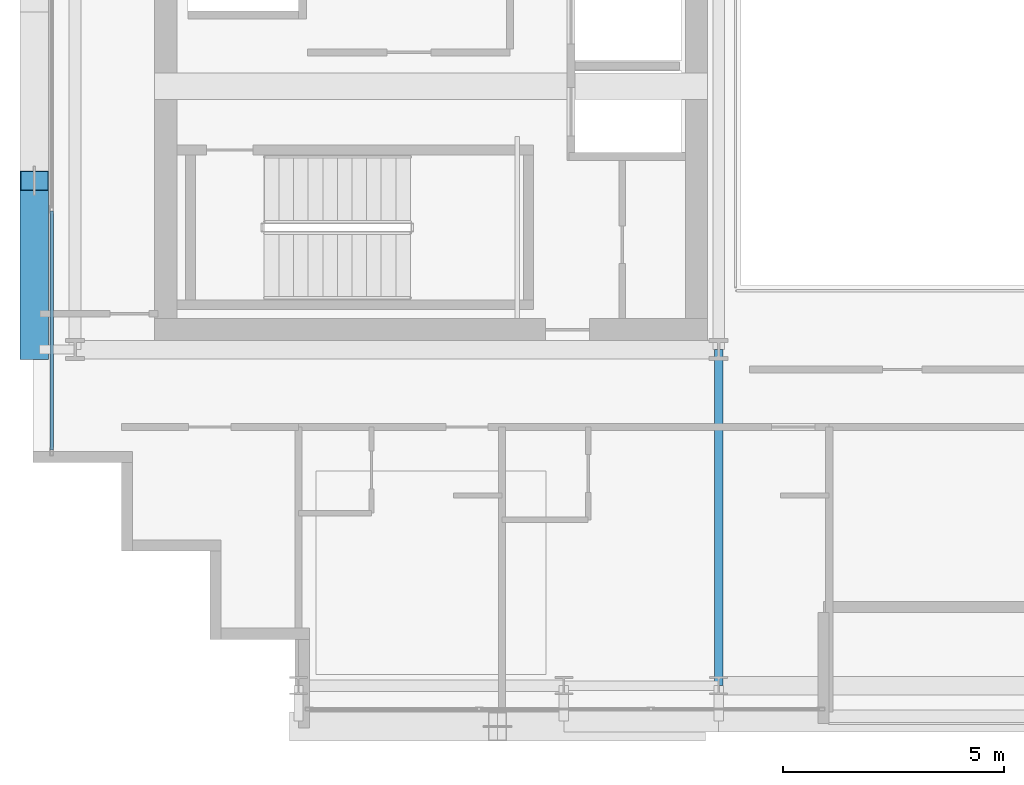
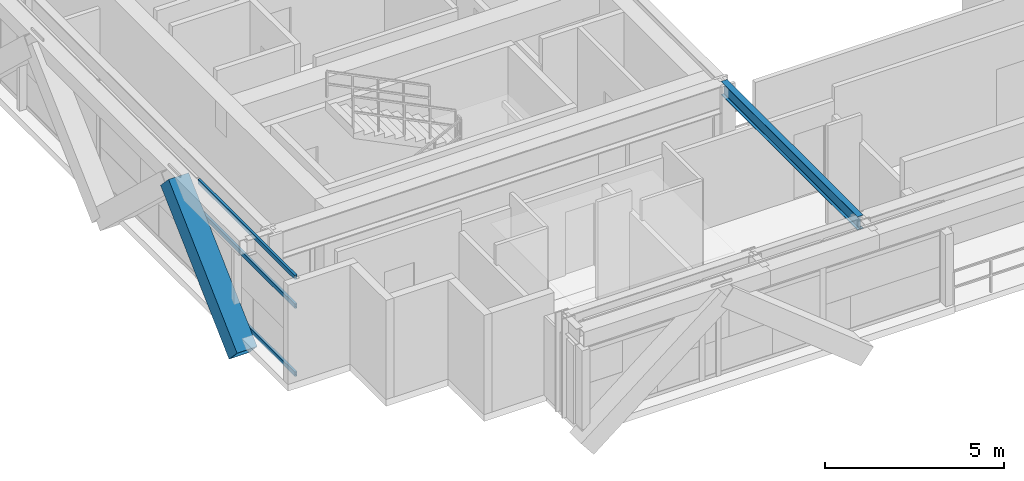
# One storey, part 3 of 31: 4 members, 1 beam, 1 element without a shape of its own.
"""IFC4 building model written with IfcOpenShell, lengths in metres."""

import ifcopenshell
import ifcopenshell.guid

model = None  # the IFC model being written
_history = None  # IfcOwnerHistory: only IFC2X3 demands one
_inside = {}  # id of a spatial element -> (the spatial element, [elements in it])
_under = {}  # id of a project, library or spatial element -> (it, [spatial elements below it])
_declared = {}  # id of a project -> (the project, [libraries it declares])
_typed = {}  # id of a type object -> (the type object, [elements of that type])
_made_of = {}  # id of a material, layer set ... -> (it, [elements and type objects made of it])


def new_model(schema):
    """Start an empty IFC model of exactly this schema.

    Asked for "IFC4X3", IfcOpenShell would pick the latest addendum, in which some entities
    have other attributes; the version numbers below select the first issue.
    IFC2X3 requires an IfcOwnerHistory on every rooted entity: one is made here for all.
    """
    global model, _history
    if schema == "IFC4X3":
        model = ifcopenshell.file(schema_version=(4, 3, 0, 0))
    else:
        model = ifcopenshell.file(schema=schema)
    _inside.clear()
    _under.clear()
    _declared.clear()
    _typed.clear()
    _made_of.clear()
    _history = None
    if model.schema == "IFC2X3":
        org = make("IfcOrganization", Name="unknown")
        user = make(
            "IfcPersonAndOrganization",
            ThePerson=make("IfcPerson", FamilyName="unknown"),
            TheOrganization=org,
        )
        app = make(
            "IfcApplication",
            ApplicationDeveloper=org,
            Version="unknown",
            ApplicationFullName="unknown",
            ApplicationIdentifier="unknown",
        )
        _history = make(
            "IfcOwnerHistory",
            OwningUser=user,
            OwningApplication=app,
            ChangeAction="ADDED",
            CreationDate=0,
        )
    return model


def make(cls, **values):
    """One entity of the class cls with the attributes given. An attribute that is None is left unset."""
    return model.create_entity(
        cls, **{name: value for name, value in values.items() if value is not None}
    )


def rooted(cls, **values):
    """An entity with a GlobalId (a new one), such as an element, a storey or a relation."""
    return make(cls, GlobalId=ifcopenshell.guid.new(), OwnerHistory=_history, **values)


def si_unit(unit_type, name, prefix=None):
    """IfcSIUnit, for example si_unit("LENGTHUNIT", "METRE", prefix="MILLI")."""
    return make("IfcSIUnit", UnitType=unit_type, Prefix=prefix, Name=name)


def assignment(units):
    """IfcUnitAssignment: the units of a project."""
    return None if units is None else make("IfcUnitAssignment", Units=units)


def point(xyz):
    """IfcCartesianPoint."""
    return None if xyz is None else make("IfcCartesianPoint", Coordinates=xyz)


def direction(xyz):
    """IfcDirection."""
    return None if xyz is None else make("IfcDirection", DirectionRatios=xyz)


def frame(location, z_axis=None, x_axis=None):
    """IfcAxis2Placement3D, a coordinate frame: its origin and axes. An axis left out is left unset."""
    return make(
        "IfcAxis2Placement3D",
        Location=point(location),
        Axis=direction(z_axis),
        RefDirection=direction(x_axis),
    )


def frame_2d(location, x_axis=None):
    """IfcAxis2Placement2D, a coordinate frame in the plane: its origin and x axis."""
    return make(
        "IfcAxis2Placement2D", Location=point(location), RefDirection=direction(x_axis)
    )


def origin():
    """The frame at (0, 0, 0) with its axes left unset."""
    return frame((0.0, 0.0, 0.0))


def origin_2d():
    """The frame at (0, 0) in the plane with its x axis left unset."""
    return frame_2d((0.0, 0.0))


def place(relative_to, where):
    """IfcLocalPlacement: puts the frame where relative to a parent placement (None: the world)."""
    return make(
        "IfcLocalPlacement", PlacementRelTo=relative_to, RelativePlacement=where
    )


def context(
    kind, dimensions, precision=None, world=None, true_north=None, identifier=None
):
    """IfcGeometricRepresentationContext, for example the 3D "Model" context."""
    return make(
        "IfcGeometricRepresentationContext",
        ContextIdentifier=identifier,
        ContextType=kind,
        CoordinateSpaceDimension=dimensions,
        Precision=precision,
        WorldCoordinateSystem=world,
        TrueNorth=true_north,
    )


def subcontext(parent, identifier, kind, view, scale=None):
    """IfcGeometricRepresentationSubContext, for example "Body" below "Model"."""
    return make(
        "IfcGeometricRepresentationSubContext",
        ContextIdentifier=identifier,
        ContextType=kind,
        ParentContext=parent,
        TargetScale=scale,
        TargetView=view,
    )


def project(units=None, contexts=None):
    """IfcProject with its units and contexts."""
    return rooted(
        "IfcProject",
        Name="project",
        RepresentationContexts=contexts,
        UnitsInContext=assignment(units),
    )


def spatial(cls, under=None, at=None, **own):
    """A site, building, storey or space (cls), placed at a placement, below another one or the project."""
    s = rooted(cls, ObjectPlacement=at, **own)
    if under is not None:
        _under.setdefault(under.id(), (under, []))[1].append(s)
    return s


def profile(cls, at=None, kind="AREA", **sizes):
    """A parametric profile (cls). Its sizes go by their IFC names, for example OverallWidth=200.0."""
    return make(cls, ProfileType=kind, Position=at, **sizes)


def hollow_rectangle(**sizes):
    """IfcRectangleHollowProfileDef."""
    return profile("IfcRectangleHollowProfileDef", **sizes)


def i_section(**sizes):
    """IfcIShapeProfileDef."""
    return profile("IfcIShapeProfileDef", **sizes)


def extrude(swept, where, along, depth):
    """IfcExtrudedAreaSolid: the profile swept, set in the frame where, extruded along a direction by depth."""
    return make(
        "IfcExtrudedAreaSolid",
        SweptArea=swept,
        Position=where,
        ExtrudedDirection=direction(along),
        Depth=depth,
    )


def shape(context_of_items, identifier, shape_type, items):
    """IfcShapeRepresentation: the items that make up one representation, for example the "Body"."""
    return make(
        "IfcShapeRepresentation",
        ContextOfItems=context_of_items,
        RepresentationIdentifier=identifier,
        RepresentationType=shape_type,
        Items=items,
    )


def source(mapping_origin, context_of_items, identifier, shape_type, items):
    """IfcRepresentationMap: a shape defined once, which mapped items show again and again."""
    return make(
        "IfcRepresentationMap",
        MappingOrigin=mapping_origin,
        MappedRepresentation=shape(context_of_items, identifier, shape_type, items),
    )


def transform(
    local_origin,
    x_axis=None,
    y_axis=None,
    z_axis=None,
    scale=None,
    scale2=None,
    scale3=None,
    uniform=True,
):
    """IfcCartesianTransformationOperator3D, or its non-uniform kind. x_axis, y_axis, z_axis: its Axis1, 2, 3."""
    if uniform:
        return make(
            "IfcCartesianTransformationOperator3D",
            Axis1=direction(x_axis),
            Axis2=direction(y_axis),
            LocalOrigin=point(local_origin),
            Scale=scale,
            Axis3=direction(z_axis),
        )
    return make(
        "IfcCartesianTransformationOperator3DnonUniform",
        Axis1=direction(x_axis),
        Axis2=direction(y_axis),
        LocalOrigin=point(local_origin),
        Scale=scale,
        Axis3=direction(z_axis),
        Scale2=scale2,
        Scale3=scale3,
    )


def mapped(mapping_source, mapping_target):
    """IfcMappedItem: shows the shape of a source again, moved by a transform."""
    return make(
        "IfcMappedItem", MappingSource=mapping_source, MappingTarget=mapping_target
    )


def material(Name=None, Category=None):
    """IfcMaterial."""
    return make("IfcMaterial", Name=Name, Category=Category)


def layer(
    of_material, thickness, ventilated=None, Name=None, Category=None, Priority=None
):
    """IfcMaterialLayer: one layer of a wall or slab, of a material (None: an air gap)."""
    return make(
        "IfcMaterialLayer",
        Material=of_material,
        LayerThickness=thickness,
        IsVentilated=ventilated,
        Name=Name,
        Category=Category,
        Priority=Priority,
    )


def layer_set(layers, Name=None):
    """IfcMaterialLayerSet."""
    return make("IfcMaterialLayerSet", MaterialLayers=layers, LayerSetName=Name)


def material_profile(
    of_material, cross_section, Name=None, Category=None, Priority=None
):
    """IfcMaterialProfile: a cross section and its material."""
    return make(
        "IfcMaterialProfile",
        Name=Name,
        Material=of_material,
        Profile=cross_section,
        Priority=Priority,
        Category=Category,
    )


def profile_set(profiles, Name=None, composite=None):
    """IfcMaterialProfileSet."""
    return make(
        "IfcMaterialProfileSet",
        Name=Name,
        MaterialProfiles=profiles,
        CompositeProfile=composite,
    )


def made_of(thing, what):
    """Note that an element or type object is made of a material, layer set ...; save() writes the relation."""
    if what is not None:
        _made_of.setdefault(what.id(), (what, []))[1].append(thing)
    return thing


def type_object(cls, material=None, **own):
    """A type object (cls), such as IfcWallType, which elements share."""
    return made_of(rooted(cls, **own), material)


def element(
    cls,
    number,
    at=None,
    inside=None,
    cuts=None,
    type_object=None,
    material=None,
    context=None,
    identifier="Body",
    shape_type=None,
    held_by="IfcProductDefinitionShape",
    body=None,
    shapes=None,
    **own,
):
    """One element of the class cls, such as IfcWall. Its Tag is "e" and its number.

    at: its placement. inside: the storey or other place that contains it. cuts: it is an
    opening in that element (IfcRelVoidsElement). A single representation is given by context,
    identifier, shape_type and body (its items); several are given by shapes. held_by: the class
    of the entity that holds the representations. save() writes the other relations.
    """
    e = rooted(cls, Tag="e%d" % number, ObjectPlacement=at, **own)
    if body is not None:
        shapes = [shape(context, identifier, shape_type, body)]
    if shapes is not None:
        e.Representation = make(held_by, Representations=shapes)
    if inside is not None:
        _inside.setdefault(inside.id(), (inside, []))[1].append(e)
    if cuts is not None:
        rooted(
            "IfcRelVoidsElement", RelatingBuildingElement=cuts, RelatedOpeningElement=e
        )
    if type_object is not None:
        _typed.setdefault(type_object.id(), (type_object, []))[1].append(e)
    return made_of(e, material)


def aggregate(whole, parts):
    """IfcRelAggregates: a whole, such as a stair, and the parts it consists of."""
    return rooted("IfcRelAggregates", RelatingObject=whole, RelatedObjects=parts)


def save(model, path):
    """Write the relations noted so far, then the file.

    IfcRelAggregates (storeys below a building ...), IfcRelContainedInSpatialStructure (elements
    in a storey), IfcRelDefinesByType, IfcRelAssociatesMaterial and IfcRelDeclares: one each for
    every whole, place, type object, material and project.
    """
    for whole, parts in _under.values():
        aggregate(whole, parts)
    for where, things in _inside.values():
        rooted(
            "IfcRelContainedInSpatialStructure",
            RelatedElements=things,
            RelatingStructure=where,
        )
    for kind, things in _typed.values():
        rooted("IfcRelDefinesByType", RelatedObjects=things, RelatingType=kind)
    for what, things in _made_of.values():
        rooted("IfcRelAssociatesMaterial", RelatedObjects=things, RelatingMaterial=what)
    for by, libraries in _declared.values():
        rooted("IfcRelDeclares", RelatingContext=by, RelatedDefinitions=libraries)
    model.write(path)


model = new_model("IFC4")

# Units and contexts
model_context = context("Model", 3, precision=1e-05, world=origin(), true_north=direction((0.0, 1.0)))
body_context = subcontext(model_context, "Body", "Model", "MODEL_VIEW")
ifc_project = project(units=[si_unit("LENGTHUNIT", "METRE"), si_unit("AREAUNIT", "SQUARE_METRE"), si_unit("VOLUMEUNIT", "CUBIC_METRE"), si_unit("PLANEANGLEUNIT", "RADIAN"), si_unit("MASSUNIT", "GRAM", prefix="KILO")], contexts=[model_context])

# Site, building, storey
site_placement = place(None, origin())
site = spatial("IfcSite", under=ifc_project, at=site_placement, CompositionType="ELEMENT")
building_placement = place(site_placement, origin())
building = spatial("IfcBuilding", under=site, at=building_placement, Name="Ocotamira Hotel", CompositionType="ELEMENT")
storey_placement = place(building_placement, frame((0.0, 0.0, 210.0)))
storey = spatial("IfcBuildingStorey", under=building, at=storey_placement, Name="L53", CompositionType="ELEMENT", Elevation=210.0)

# Beam
ifc_material_1 = material(Name="Steel ASTM A992 Grade 50", Category="steel")
ifc_material_profile_1 = material_profile(ifc_material_1, i_section(OverallWidth=0.18994140625, OverallDepth=0.45703125, WebThickness=0.009033203125, FlangeThickness=0.014404296875, FilletRadius=0.010009765625, at=origin_2d()), Name="W18X50")
ifc_profile_set_1 = profile_set([ifc_material_profile_1], Name="Steel ASTM A992 Grade 50")
beam_type = type_object("IfcBeamType", Name="BM-SEC-W18X50", PredefinedType="JOIST", material=ifc_profile_set_1)
shared_shape_1 = source(origin(), body_context, "Body", "SweptSolid", [
    extrude(i_section(OverallWidth=0.18994140625, OverallDepth=0.45703125, WebThickness=0.009033203125, FlangeThickness=0.014404296875, FilletRadius=0.010009765625, at=origin_2d()), origin(), (0.0, 0.0, 1.0), 7.60009765625),
])
beam_placement = place(storey_placement, frame((23.5, 6.949951171875, 3.1416015625), z_axis=(0.0, 1.0, 0.0), x_axis=(-1.0, 0.0, 0.0)))
element("IfcBeam", 1, at=beam_placement, inside=storey, type_object=beam_type, Name="L53 Beam X23.5 Y6.95-14.55", PredefinedType="JOIST", context=body_context, shape_type="MappedRepresentation", body=[
    mapped(shared_shape_1, transform((0.0, 0.0, 0.0), scale=1.0)),
])

# Member
ifc_material_2 = material(Name="Pale-metal coated steel ASTM A913 Grade 65", Category="steel")
ifc_material_profile_2 = material_profile(ifc_material_2, hollow_rectangle(XDim=0.64990234375, YDim=0.64990234375, WallThickness=0.02197265625, at=origin_2d()), Name="BOX650X650X22")
ifc_profile_set_2 = profile_set([ifc_material_profile_2], Name="Pale-metal coated steel ASTM A913 Grade 65")
member_type_1 = type_object("IfcMemberType", Name="MEM-EXO-BOX650", PredefinedType="BRACE", material=ifc_profile_set_2)
shared_shape_2 = source(origin(), body_context, "Body", "SweptSolid", [
    extrude(hollow_rectangle(XDim=0.64990234375, YDim=0.64990234375, WallThickness=0.02197265625, at=origin_2d()), origin(), (0.0, 0.0, 1.0), 5.24658203125),
])
member_1_placement = place(storey_placement, frame((8.030029296875, 14.550048828125, -0.47998046875), z_axis=(0.0, 0.727442733726, 0.686168397078), x_axis=(-1.0, 0.0, 0.0)))
element("IfcMember", 2, at=member_1_placement, inside=storey, type_object=member_type_1, Name="L53 Exoskeleton Diagrid W0.1", PredefinedType="BRACE", context=body_context, shape_type="MappedRepresentation", body=[
    mapped(shared_shape_2, transform((0.0, 0.0, 0.0), scale=1.0)),
])

# Curtain wall, members
ifc_material_3 = material(Name="Anodised pale-metal aluminium and solar glass", Category="aluminium")
ifc_layer = layer(ifc_material_3, 0.199951171875)
ifc_layer_set = layer_set([ifc_layer], Name="Anodised pale-metal aluminium and solar glass")
curtain_wall_type = type_object("IfcCurtainWallType", Name="CW-SYS4-Z3", PredefinedType="NOTDEFINED", material=ifc_layer_set)
curtain_wall_placement = place(storey_placement, origin())
curtain_wall = element("IfcCurtainWall", 3, at=curtain_wall_placement, inside=storey, type_object=curtain_wall_type, Name="L53 Curtain Wall CW-4 CW-L53-W", PredefinedType="NOTDEFINED")
ifc_material_4 = material(Name="Anodised pale-metal aluminium 6063-T6", Category="aluminium")
ifc_material_profile_3 = material_profile(ifc_material_4, hollow_rectangle(XDim=0.074951171875, YDim=0.14990234375, WallThickness=0.006103515625, at=origin_2d()), Name="HSS150X75X6")
ifc_profile_set_3 = profile_set([ifc_material_profile_3], Name="Anodised pale-metal aluminium 6063-T6")
member_type_2 = type_object("IfcMemberType", Name="CWT-150X75", PredefinedType="USERDEFINED", material=ifc_profile_set_3)
shared_shape_3 = source(origin(), body_context, "Body", "SweptSolid", [
    extrude(hollow_rectangle(XDim=0.074951171875, YDim=0.14990234375, WallThickness=0.006103515625, at=origin_2d()), origin(), (0.0, 0.0, 1.0), 5.39990234375),
])
member_2_placement = place(storey_placement, frame((8.419921875, 12.280029296875, 0.03759765625), z_axis=(0.0, 1.0, 0.0), x_axis=(-1.0, 0.0, 0.0)))
member_2 = element("IfcMember", 4, at=member_2_placement, type_object=member_type_2, Name="CW-4 transom 1.1", ObjectType="TRANSOM", PredefinedType="USERDEFINED", context=body_context, shape_type="MappedRepresentation", body=[
    mapped(shared_shape_3, transform((0.0, 0.0, 0.0), scale=1.0)),
])
member_3_placement = place(storey_placement, frame((8.419921875, 12.280029296875, 2.35009765625), z_axis=(0.0, 1.0, 0.0), x_axis=(-1.0, 0.0, 0.0)))
member_3 = element("IfcMember", 5, at=member_3_placement, type_object=member_type_2, Name="CW-4 transom 1.2", ObjectType="TRANSOM", PredefinedType="USERDEFINED", context=body_context, shape_type="MappedRepresentation", body=[
    mapped(shared_shape_3, transform((0.0, 0.0, 0.0), scale=1.0)),
])
member_4_placement = place(storey_placement, frame((8.419921875, 12.280029296875, 3.33251953125), z_axis=(0.0, 1.0, 0.0), x_axis=(-1.0, 0.0, 0.0)))
member_4 = element("IfcMember", 6, at=member_4_placement, type_object=member_type_2, Name="CW-4 transom 1.3", ObjectType="TRANSOM", PredefinedType="USERDEFINED", context=body_context, shape_type="MappedRepresentation", body=[
    mapped(shared_shape_3, transform((0.0, 0.0, 0.0), scale=1.0)),
])
aggregate(curtain_wall, [member_2, member_3, member_4])

save(model, "model.ifc")
